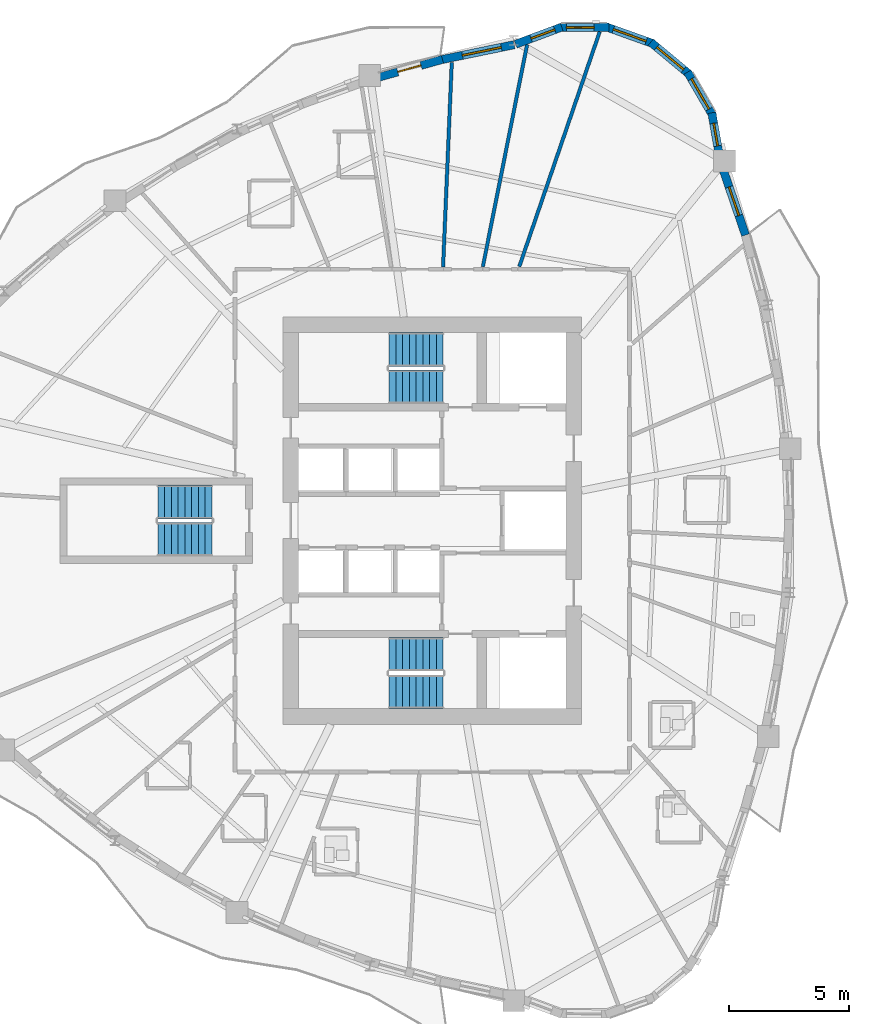
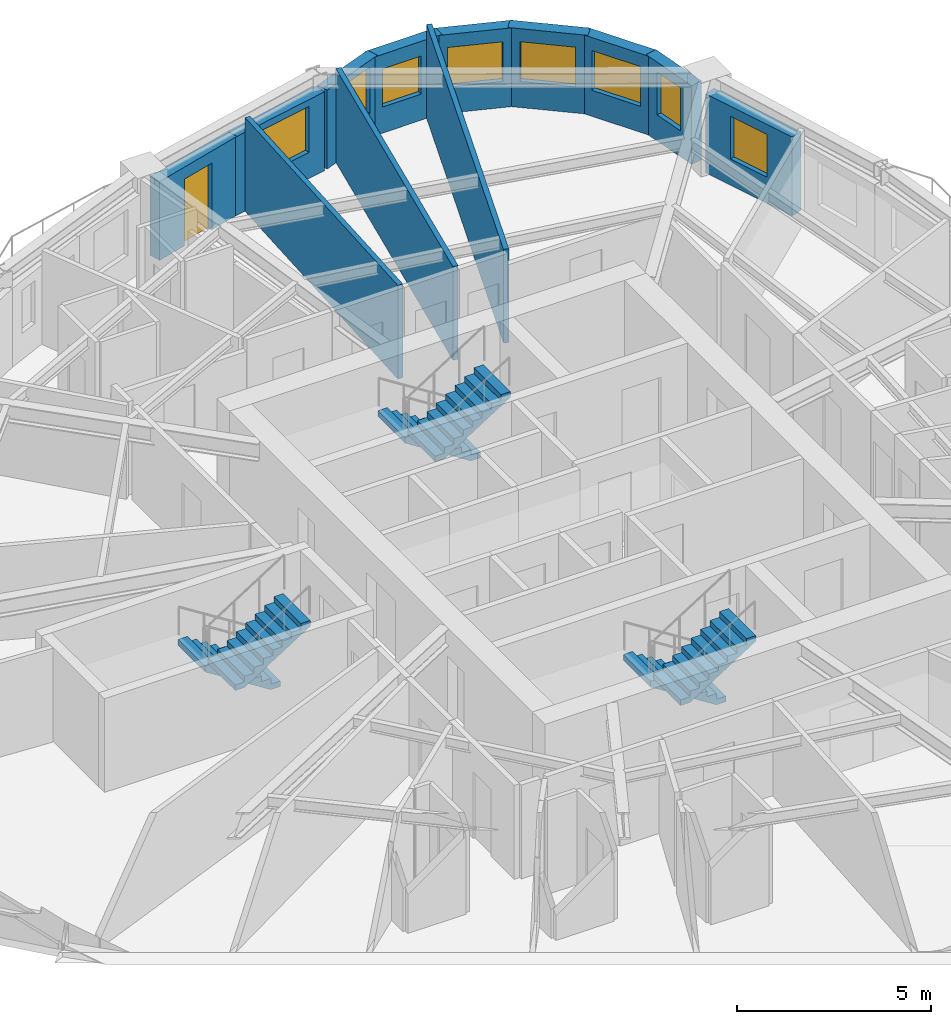
# One storey, part 9 of 13: 12 walls, 8 windows, 6 stair flights, 1 door, 9 openings, 3 elements without a shape of their own.
"""IFC4 building model written with IfcOpenShell, lengths in metres."""

from ifc_helpers import new_model, si_unit, direction, frame, frame_2d, origin, place, context, subcontext, project, spatial, polyline, rectangle, outline, extrude, source, transform, mapped, material, layer, layer_set, type_object, element, fill, aggregate, save


model = new_model("IFC4")

# Units and contexts
model_context = context("Model", 3, precision=1e-05, world=origin(), true_north=direction((0.0, 1.0)))
body_context = subcontext(model_context, "Body", "Model", "MODEL_VIEW")
ifc_project = project(units=[si_unit("LENGTHUNIT", "METRE"), si_unit("AREAUNIT", "SQUARE_METRE"), si_unit("VOLUMEUNIT", "CUBIC_METRE"), si_unit("PLANEANGLEUNIT", "RADIAN"), si_unit("MASSUNIT", "GRAM", prefix="KILO")], contexts=[model_context])

# Site, building, storey
site_placement = place(None, origin())
site = spatial("IfcSite", under=ifc_project, at=site_placement, CompositionType="ELEMENT")
building_placement = place(site_placement, origin())
building = spatial("IfcBuilding", under=site, at=building_placement, Name="Qafzar Sky-Pleat Residences", CompositionType="ELEMENT")
storey_placement = place(building_placement, frame((0.0, 0.0, 102.39990234375)))
storey = spatial("IfcBuildingStorey", under=building, at=storey_placement, Name="L30", CompositionType="ELEMENT", Elevation=102.39990234375)

# Walls
ifc_material_1 = material(Name="Acoustic gypsum plasterboard partition", Category="gypsum")
ifc_layer_1 = layer(ifc_material_1, 0.14501953125)
ifc_layer_set_1 = layer_set([ifc_layer_1], Name="Acoustic gypsum plasterboard partition")
wall_type_1 = type_object("IfcWallType", Name="PART-UNIT-145", PredefinedType="PARTITIONING", material=ifc_layer_set_1)
wall_1_placement = place(storey_placement, frame((33.9599609375, 36.541015625, 0.0), z_axis=(0.0, 0.0, 1.0), x_axis=(0.324058346196, 0.946037096662, 0.0)))
element("IfcWall", 1, at=wall_1_placement, inside=storey, type_object=wall_type_1, Name="L30 Partition Wall PART-L30-PW-033", PredefinedType="PARTITIONING", context=body_context, shape_type="SweptSolid", body=[
    extrude(rectangle(XDim=10.302490234375, YDim=0.14501953125, at=frame_2d((5.1513671875, 0.0))), origin(), (0.0, 0.0, 1.0), 2.9501953125),
])
wall_2_placement = place(storey_placement, frame((32.4482421875, 36.531982421875, 0.0), z_axis=(0.0, 0.0, 1.0), x_axis=(0.195406965811, 0.980722242897, 0.0)))
element("IfcWall", 2, at=wall_2_placement, inside=storey, type_object=wall_type_1, Name="L30 Partition Wall PART-L30-PW-036", PredefinedType="PARTITIONING", context=body_context, shape_type="SweptSolid", body=[
    extrude(rectangle(XDim=9.401611328125, YDim=0.14501953125, at=frame_2d((4.70068359375, 0.0))), origin(), (0.0, 0.0, 1.0), 2.9501953125),
])
wall_3_placement = place(storey_placement, frame((30.7978515625, 36.52099609375, 0.0), z_axis=(0.0, 0.0, 1.0), x_axis=(0.042521424142, 0.999095555234, 0.0)))
element("IfcWall", 3, at=wall_3_placement, inside=storey, type_object=wall_type_1, Name="L30 Partition Wall PART-L30-PW-039", PredefinedType="PARTITIONING", context=body_context, shape_type="SweptSolid", body=[
    extrude(rectangle(XDim=8.50341796875, YDim=0.14501953125, at=frame_2d((4.251708984375, 0.0))), origin(), (0.0, 0.0, 1.0), 2.9501953125),
])

# Wall, opening, window
ifc_material_2 = material(Name="Precast concrete C40/50 with honed Riyadh limestone", Category="concrete")
ifc_layer_2 = layer(ifc_material_2, 0.340087890625)
ifc_layer_set_2 = layer_set([ifc_layer_2], Name="Precast concrete C40/50 with honed Riyadh limestone")
wall_type_2 = type_object("IfcWallType", Name="WALL-EXT-340", PredefinedType="SOLIDWALL", material=ifc_layer_set_2)
wall_4_placement = place(storey_placement, frame((43.349609375, 37.84765625, 0.0), z_axis=(0.0, 0.0, 1.0), x_axis=(-0.323561473353, 0.946207151189, 0.0)))
wall_4 = element("IfcWall", 4, at=wall_4_placement, inside=storey, type_object=wall_type_2, Name="L30 Limestone Facade Wall 32", PredefinedType="SOLIDWALL", context=body_context, shape_type="SweptSolid", body=[
    extrude(rectangle(XDim=2.96240234375, YDim=0.340087890625, at=frame_2d((1.481201171875, 0.0))), origin(), (0.0, 0.0, 1.0), 2.47998046875),
])
opening_1_placement = place(wall_4_placement, frame((0.861083984375, 0.0, 0.820068359375)))
opening_1 = element("IfcOpeningElement", 5, at=opening_1_placement, cuts=wall_4, Name="Opening WN-11", PredefinedType="OPENING", context=body_context, shape_type="SweptSolid", body=[
    extrude(rectangle(XDim=1.25, YDim=1.35009765625, at=frame_2d((0.625, 0.675048828125))), frame((0.0, 0.18017578125, 0.0), z_axis=(0.0, -1.0, 0.0), x_axis=(1.0, 0.0, 0.0)), (0.0, 0.0, 1.0), 0.360107421875),
])
ifc_material_3 = material(Name="Solar-control low-E glass in bronze aluminium frame", Category="glass")
window_type_1 = type_object("IfcWindowType", Name="WIN-11", PartitioningType="SINGLE_PANEL", PredefinedType="WINDOW", material=ifc_material_3)
shared_shape_1 = source(origin(), body_context, "Body", "SweptSolid", [
    extrude(rectangle(XDim=1.25, YDim=1.35009765625, at=frame_2d((0.625, 0.675048828125))), frame((0.0, 0.030029296875, 0.0), z_axis=(0.0, -1.0, 0.0), x_axis=(1.0, 0.0, 0.0)), (0.0, 0.0, 1.0), 0.06005859375),
])
window_1_placement = place(opening_1_placement, origin())
window_1 = element("IfcWindow", 6, at=window_1_placement, inside=storey, type_object=window_type_1, Name="L30 Punched Facade Window 32", OverallHeight=1.35009765625, OverallWidth=1.25, PartitioningType="SINGLE_PANEL", PredefinedType="WINDOW", context=body_context, shape_type="MappedRepresentation", body=[
    mapped(shared_shape_1, transform((0.0, 0.0, 0.0), x_axis=(1.0, 0.0, 0.0), y_axis=(0.0, 1.0, 0.0), z_axis=(0.0, 0.0, 1.0), scale=1.0)),
])
fill(opening_1, window_1)

wall_5_placement = place(storey_placement, frame((42.27001953125, 41.1201171875, 0.0), z_axis=(0.0, 0.0, 1.0), x_axis=(-0.17440141227, 0.984674640375, 0.0)))
wall_5 = element("IfcWall", 7, at=wall_5_placement, inside=storey, type_object=wall_type_2, Name="L30 Limestone Facade Wall 33", PredefinedType="SOLIDWALL", context=body_context, shape_type="SweptSolid", body=[
    extrude(rectangle(XDim=1.8310546875, YDim=0.340087890625, at=frame_2d((0.91552734375, 0.0))), origin(), (0.0, 0.0, 1.0), 2.47998046875),
])
opening_2_placement = place(wall_5_placement, frame((0.435546875, 0.0, 0.820068359375)))
opening_2 = element("IfcOpeningElement", 8, at=opening_2_placement, cuts=wall_5, Name="Opening WN-12", PredefinedType="OPENING", context=body_context, shape_type="SweptSolid", body=[
    extrude(rectangle(XDim=0.949951171875, YDim=1.35009765625, at=frame_2d((0.47509765625, 0.675048828125))), frame((0.0, 0.18017578125, 0.0), z_axis=(0.0, -1.0, 0.0), x_axis=(1.0, 0.0, 0.0)), (0.0, 0.0, 1.0), 0.360107421875),
])
window_type_2 = type_object("IfcWindowType", Name="WIN-12", PartitioningType="SINGLE_PANEL", PredefinedType="WINDOW", material=ifc_material_3)
shared_shape_2 = source(origin(), body_context, "Body", "SweptSolid", [
    extrude(rectangle(XDim=0.949951171875, YDim=1.35009765625, at=frame_2d((0.47509765625, 0.675048828125))), frame((0.0, 0.030029296875, 0.0), z_axis=(0.0, -1.0, 0.0), x_axis=(1.0, 0.0, 0.0)), (0.0, 0.0, 1.0), 0.06005859375),
])
window_2_placement = place(opening_2_placement, origin())
window_2 = element("IfcWindow", 9, at=window_2_placement, inside=storey, type_object=window_type_2, Name="L30 Punched Facade Window 33", OverallHeight=1.35009765625, OverallWidth=0.949951171875, PartitioningType="SINGLE_PANEL", PredefinedType="WINDOW", context=body_context, shape_type="MappedRepresentation", body=[
    mapped(shared_shape_2, transform((0.0, 0.0, 0.0), x_axis=(1.0, 0.0, 0.0), y_axis=(0.0, 1.0, 0.0), z_axis=(0.0, 0.0, 1.0), scale=1.0)),
])
fill(opening_2, window_2)

wall_6_placement = place(storey_placement, frame((41.99658203125, 42.797119140625, 0.0), z_axis=(0.0, 0.0, 1.0), x_axis=(-0.501902596059, 0.864924149315, 0.0)))
wall_6 = element("IfcWall", 10, at=wall_6_placement, inside=storey, type_object=wall_type_2, Name="L30 Limestone Facade Wall 34", PredefinedType="SOLIDWALL", context=body_context, shape_type="SweptSolid", body=[
    extrude(rectangle(XDim=2.098876953125, YDim=0.340087890625, at=frame_2d((1.04931640625, 0.0))), origin(), (0.0, 0.0, 1.0), 2.47998046875),
])
opening_3_placement = place(wall_6_placement, frame((0.324462890625, 0.0, 0.820068359375)))
opening_3 = element("IfcOpeningElement", 11, at=opening_3_placement, cuts=wall_6, Name="Opening WN-15", PredefinedType="OPENING", context=body_context, shape_type="SweptSolid", body=[
    extrude(rectangle(XDim=1.449951171875, YDim=1.25, at=frame_2d((0.72509765625, 0.625))), frame((0.0, 0.18017578125, 0.0), z_axis=(0.0, -1.0, 0.0), x_axis=(1.0, 0.0, 0.0)), (0.0, 0.0, 1.0), 0.360107421875),
])
window_type_3 = type_object("IfcWindowType", Name="WIN-15", PartitioningType="SINGLE_PANEL", PredefinedType="WINDOW", material=ifc_material_3)
shared_shape_3 = source(origin(), body_context, "Body", "SweptSolid", [
    extrude(rectangle(XDim=1.449951171875, YDim=1.25, at=frame_2d((0.72509765625, 0.625))), frame((0.0, 0.030029296875, 0.0), z_axis=(0.0, -1.0, 0.0), x_axis=(1.0, 0.0, 0.0)), (0.0, 0.0, 1.0), 0.06005859375),
])
window_3_placement = place(opening_3_placement, origin())
window_3 = element("IfcWindow", 12, at=window_3_placement, inside=storey, type_object=window_type_3, Name="L30 Punched Facade Window 34", OverallHeight=1.25, OverallWidth=1.449951171875, PartitioningType="SINGLE_PANEL", PredefinedType="WINDOW", context=body_context, shape_type="MappedRepresentation", body=[
    mapped(shared_shape_3, transform((0.0, 0.0, 0.0), x_axis=(1.0, 0.0, 0.0), y_axis=(0.0, 1.0, 0.0), z_axis=(0.0, 0.0, 1.0), scale=1.0)),
])
fill(opening_3, window_3)

wall_7_placement = place(storey_placement, frame((41.029541015625, 44.510009765625, 0.0), z_axis=(0.0, 0.0, 1.0), x_axis=(-0.768497696041, 0.639852554249, 0.0)))
wall_7 = element("IfcWall", 13, at=wall_7_placement, inside=storey, type_object=wall_type_2, Name="L30 Limestone Facade Wall 35", PredefinedType="SOLIDWALL", context=body_context, shape_type="SweptSolid", body=[
    extrude(rectangle(XDim=2.098876953125, YDim=0.340087890625, at=frame_2d((1.04931640625, 0.0))), origin(), (0.0, 0.0, 1.0), 2.47998046875),
])
opening_4_placement = place(wall_7_placement, frame((0.324462890625, 0.0, 0.820068359375)))
opening_4 = element("IfcOpeningElement", 14, at=opening_4_placement, cuts=wall_7, Name="Opening WN-15", PredefinedType="OPENING", context=body_context, shape_type="SweptSolid", body=[
    extrude(rectangle(XDim=1.449951171875, YDim=1.25, at=frame_2d((0.72509765625, 0.625))), frame((0.0, 0.18017578125, 0.0), z_axis=(0.0, -1.0, 0.0), x_axis=(1.0, 0.0, 0.0)), (0.0, 0.0, 1.0), 0.360107421875),
])
window_4_placement = place(opening_4_placement, origin())
window_4 = element("IfcWindow", 15, at=window_4_placement, inside=storey, type_object=window_type_3, Name="L30 Punched Facade Window 35", OverallHeight=1.25, OverallWidth=1.449951171875, PartitioningType="SINGLE_PANEL", PredefinedType="WINDOW", context=body_context, shape_type="MappedRepresentation", body=[
    mapped(shared_shape_3, transform((0.0, 0.0, 0.0), x_axis=(1.0, 0.0, 0.0), y_axis=(0.0, 1.0, 0.0), z_axis=(0.0, 0.0, 1.0), scale=1.0)),
])
fill(opening_4, window_4)

wall_8_placement = place(storey_placement, frame((39.533203125, 45.78662109375, 0.0), z_axis=(0.0, 0.0, 1.0), x_axis=(-0.941523304278, 0.336947870598, 0.0)))
wall_8 = element("IfcWall", 16, at=wall_8_placement, inside=storey, type_object=wall_type_2, Name="L30 Limestone Facade Wall 36", PredefinedType="SOLIDWALL", context=body_context, shape_type="SweptSolid", body=[
    extrude(rectangle(XDim=2.09912109375, YDim=0.340087890625, at=frame_2d((1.049560546875, 0.0))), origin(), (0.0, 0.0, 1.0), 2.47998046875),
])
opening_5_placement = place(wall_8_placement, frame((0.324462890625, 0.0, 0.820068359375)))
opening_5 = element("IfcOpeningElement", 17, at=opening_5_placement, cuts=wall_8, Name="Opening WN-15", PredefinedType="OPENING", context=body_context, shape_type="SweptSolid", body=[
    extrude(rectangle(XDim=1.449951171875, YDim=1.25, at=frame_2d((0.72509765625, 0.625))), frame((0.0, 0.18017578125, 0.0), z_axis=(0.0, -1.0, 0.0), x_axis=(1.0, 0.0, 0.0)), (0.0, 0.0, 1.0), 0.360107421875),
])
window_5_placement = place(opening_5_placement, origin())
window_5 = element("IfcWindow", 18, at=window_5_placement, inside=storey, type_object=window_type_3, Name="L30 Punched Facade Window 36", OverallHeight=1.25, OverallWidth=1.449951171875, PartitioningType="SINGLE_PANEL", PredefinedType="WINDOW", context=body_context, shape_type="MappedRepresentation", body=[
    mapped(shared_shape_3, transform((0.0, 0.0, 0.0), x_axis=(1.0, 0.0, 0.0), y_axis=(0.0, 1.0, 0.0), z_axis=(0.0, 0.0, 1.0), scale=1.0)),
])
fill(opening_5, window_5)

wall_9_placement = place(storey_placement, frame((37.689208984375, 46.471435546875, 0.0), z_axis=(0.0, 0.0, 1.0), x_axis=(-0.999976456891, -0.00686189939, 0.0)))
wall_9 = element("IfcWall", 19, at=wall_9_placement, inside=storey, type_object=wall_type_2, Name="L30 Limestone Facade Wall 37", PredefinedType="SOLIDWALL", context=body_context, shape_type="SweptSolid", body=[
    extrude(rectangle(XDim=2.09912109375, YDim=0.340087890625, at=frame_2d((1.049560546875, 0.0))), origin(), (0.0, 0.0, 1.0), 2.47998046875),
])
opening_6_placement = place(wall_9_placement, frame((0.626708984375, 0.0, 0.820068359375)))
opening_6 = element("IfcOpeningElement", 20, at=opening_6_placement, cuts=wall_9, Name="Opening WN-16", PredefinedType="OPENING", context=body_context, shape_type="SweptSolid", body=[
    extrude(rectangle(XDim=1.14990234375, YDim=1.199951171875, at=frame_2d((0.574951171875, 0.60009765625))), frame((0.0, 0.18017578125, 0.0), z_axis=(0.0, -1.0, 0.0), x_axis=(1.0, 0.0, 0.0)), (0.0, 0.0, 1.0), 0.360107421875),
])
window_type_4 = type_object("IfcWindowType", Name="WIN-16", PartitioningType="SINGLE_PANEL", PredefinedType="WINDOW", material=ifc_material_3)
shared_shape_4 = source(origin(), body_context, "Body", "SweptSolid", [
    extrude(rectangle(XDim=1.14990234375, YDim=1.199951171875, at=frame_2d((0.574951171875, 0.60009765625))), frame((0.0, 0.030029296875, 0.0), z_axis=(0.0, -1.0, 0.0), x_axis=(1.0, 0.0, 0.0)), (0.0, 0.0, 1.0), 0.06005859375),
])
window_6_placement = place(opening_6_placement, origin())
window_6 = element("IfcWindow", 21, at=window_6_placement, inside=storey, type_object=window_type_4, Name="L30 Punched Facade Window 37", OverallHeight=1.199951171875, OverallWidth=1.14990234375, PartitioningType="SINGLE_PANEL", PredefinedType="WINDOW", context=body_context, shape_type="MappedRepresentation", body=[
    mapped(shared_shape_4, transform((0.0, 0.0, 0.0), x_axis=(1.0, 0.0, 0.0), y_axis=(0.0, 1.0, 0.0), z_axis=(0.0, 0.0, 1.0), scale=1.0)),
])
fill(opening_6, window_6)

wall_10_placement = place(storey_placement, frame((35.72216796875, 46.4814453125, 0.0), z_axis=(0.0, 0.0, 1.0), x_axis=(-0.9368002254, -0.349864741994, 0.0)))
wall_10 = element("IfcWall", 22, at=wall_10_placement, inside=storey, type_object=wall_type_2, Name="L30 Limestone Facade Wall 38", PredefinedType="SOLIDWALL", context=body_context, shape_type="SweptSolid", body=[
    extrude(rectangle(XDim=2.041015625, YDim=0.340087890625, at=frame_2d((1.0205078125, 0.0))), origin(), (0.0, 0.0, 1.0), 2.47998046875),
])
opening_7_placement = place(wall_10_placement, frame((0.30908203125, 0.0, 0.820068359375)))
opening_7 = element("IfcOpeningElement", 23, at=opening_7_placement, cuts=wall_10, Name="Opening WN-06", PredefinedType="OPENING", context=body_context, shape_type="SweptSolid", body=[
    extrude(rectangle(XDim=1.050048828125, YDim=1.449951171875, at=frame_2d((0.52490234375, 0.72509765625))), frame((0.0, 0.18017578125, 0.0), z_axis=(0.0, -1.0, 0.0), x_axis=(1.0, 0.0, 0.0)), (0.0, 0.0, 1.0), 0.360107421875),
])
window_type_5 = type_object("IfcWindowType", Name="WIN-06", PartitioningType="SINGLE_PANEL", PredefinedType="WINDOW", material=ifc_material_3)
shared_shape_5 = source(origin(), body_context, "Body", "SweptSolid", [
    extrude(rectangle(XDim=1.050048828125, YDim=1.449951171875, at=frame_2d((0.52490234375, 0.72509765625))), frame((0.0, 0.030029296875, 0.0), z_axis=(0.0, -1.0, 0.0), x_axis=(1.0, 0.0, 0.0)), (0.0, 0.0, 1.0), 0.06005859375),
])
window_7_placement = place(opening_7_placement, origin())
window_7 = element("IfcWindow", 24, at=window_7_placement, inside=storey, type_object=window_type_5, Name="L30 Punched Facade Window 38", OverallHeight=1.449951171875, OverallWidth=1.050048828125, PartitioningType="SINGLE_PANEL", PredefinedType="WINDOW", context=body_context, shape_type="MappedRepresentation", body=[
    mapped(shared_shape_5, transform((0.0, 0.0, 0.0), x_axis=(1.0, 0.0, 0.0), y_axis=(0.0, 1.0, 0.0), z_axis=(0.0, 0.0, 1.0), scale=1.0)),
])
fill(opening_7, window_7)

wall_11_placement = place(storey_placement, frame((33.74658203125, 45.7490234375, 0.0), z_axis=(0.0, 0.0, 1.0), x_axis=(-0.979440240026, -0.201734519153, 0.0)))
wall_11 = element("IfcWall", 25, at=wall_11_placement, inside=storey, type_object=wall_type_2, Name="L30 Limestone Facade Wall 39", PredefinedType="SOLIDWALL", context=body_context, shape_type="SweptSolid", body=[
    extrude(rectangle(XDim=3.12353515625, YDim=0.340087890625, at=frame_2d((1.561767578125, 0.0))), origin(), (0.0, 0.0, 1.0), 2.47998046875),
])
opening_8_placement = place(wall_11_placement, frame((0.541259765625, 0.0, 0.820068359375)))
opening_8 = element("IfcOpeningElement", 26, at=opening_8_placement, cuts=wall_11, Name="Opening WN-02", PredefinedType="OPENING", context=body_context, shape_type="SweptSolid", body=[
    extrude(rectangle(XDim=1.64990234375, YDim=1.449951171875, at=frame_2d((0.824951171875, 0.72509765625))), frame((0.0, 0.18017578125, 0.0), z_axis=(0.0, -1.0, 0.0), x_axis=(1.0, 0.0, 0.0)), (0.0, 0.0, 1.0), 0.360107421875),
])
window_type_6 = type_object("IfcWindowType", Name="WIN-02", PartitioningType="DOUBLE_PANEL_VERTICAL", PredefinedType="WINDOW", material=ifc_material_3)
shared_shape_6 = source(origin(), body_context, "Body", "SweptSolid", [
    extrude(rectangle(XDim=1.64990234375, YDim=1.449951171875, at=frame_2d((0.824951171875, 0.72509765625))), frame((0.0, 0.030029296875, 0.0), z_axis=(0.0, -1.0, 0.0), x_axis=(1.0, 0.0, 0.0)), (0.0, 0.0, 1.0), 0.06005859375),
])
window_8_placement = place(opening_8_placement, origin())
window_8 = element("IfcWindow", 27, at=window_8_placement, inside=storey, type_object=window_type_6, Name="L30 Punched Facade Window 39", OverallHeight=1.449951171875, OverallWidth=1.64990234375, PartitioningType="SINGLE_PANEL", PredefinedType="WINDOW", context=body_context, shape_type="MappedRepresentation", body=[
    mapped(shared_shape_6, transform((0.0, 0.0, 0.0), x_axis=(1.0, 0.0, 0.0), y_axis=(0.0, 1.0, 0.0), z_axis=(0.0, 0.0, 1.0), scale=1.0)),
])
fill(opening_8, window_8)

# Wall, opening, door
wall_12_placement = place(storey_placement, frame((30.772705078125, 45.139404296875, 0.0), z_axis=(0.0, 0.0, 1.0), x_axis=(-0.963038749839, -0.269362889627, 0.0)))
wall_12 = element("IfcWall", 28, at=wall_12_placement, inside=storey, type_object=wall_type_2, Name="L30 Limestone Facade Wall 40", PredefinedType="SOLIDWALL", context=body_context, shape_type="SweptSolid", body=[
    extrude(rectangle(XDim=2.8486328125, YDim=0.340087890625, at=frame_2d((1.42431640625, 0.0))), origin(), (0.0, 0.0, 1.0), 2.47998046875),
])
opening_9_placement = place(wall_12_placement, frame((0.92431640625, 0.0, 0.0)))
opening_9 = element("IfcOpeningElement", 29, at=opening_9_placement, cuts=wall_12, Name="Opening ED-05", PredefinedType="OPENING", context=body_context, shape_type="SweptSolid", body=[
    extrude(rectangle(XDim=1.0, YDim=2.10009765625, at=frame_2d((0.5, 1.050048828125))), frame((0.0, 0.18017578125, 0.0), z_axis=(0.0, -1.0, 0.0), x_axis=(1.0, 0.0, 0.0)), (0.0, 0.0, 1.0), 0.360107421875),
])
ifc_material_4 = material(Name="Glazed bronze aluminium door", Category="aluminium")
door_type = type_object("IfcDoorType", Name="DR-BAL-1000", OperationType="NOTDEFINED", PredefinedType="DOOR", material=ifc_material_4)
shared_shape_7 = source(origin(), body_context, "Body", "SweptSolid", [
    extrude(rectangle(XDim=1.0, YDim=2.10009765625, at=frame_2d((0.5, 1.050048828125))), frame((0.0, 0.02490234375, 0.0), z_axis=(0.0, -1.0, 0.0), x_axis=(1.0, 0.0, 0.0)), (0.0, 0.0, 1.0), 0.050048828125),
])
door_placement = place(opening_9_placement, origin())
door = element("IfcDoor", 30, at=door_placement, inside=storey, type_object=door_type, Name="L30 Glazed Balcony Door 2", OperationType="SINGLE_SWING_LEFT", OverallHeight=2.10009765625, OverallWidth=1.0, PredefinedType="DOOR", context=body_context, shape_type="MappedRepresentation", body=[
    mapped(shared_shape_7, transform((0.0, 0.0, 0.0), x_axis=(1.0, 0.0, 0.0), y_axis=(0.0, 1.0, 0.0), z_axis=(0.0, 0.0, 1.0), scale=1.0)),
])
fill(opening_9, door)

# Stair, stair flights
ifc_material_5 = material(Name="Concrete C40/50", Category="concrete")
stair_type = type_object("IfcStairType", Name="STAIR-H320", PredefinedType="HALF_TURN_STAIR", material=ifc_material_5)
stair_1_placement = place(storey_placement, origin())
stair_1 = element("IfcStair", 31, at=stair_1_placement, inside=storey, type_object=stair_type, Name="L30 Protected Exit Stair ST1", PredefinedType="HALF_TURN_STAIR")
stair_flight_type = type_object("IfcStairFlightType", Name="FLIGHT-H320", PredefinedType="STRAIGHT", material=ifc_material_5)
shared_shape_8 = source(origin(), body_context, "Body", "SweptSolid", [
    extrude(outline(polyline([(0.0, 0.0), (0.0, 0.177734375), (0.280029296875, 0.177734375), (0.280029296875, 0.35546875), (0.56005859375, 0.35546875), (0.56005859375, 0.533447265625), (0.840087890625, 0.533447265625), (0.840087890625, 0.711181640625), (1.1201171875, 0.711181640625), (1.1201171875, 0.888916015625), (1.39990234375, 0.888916015625), (1.39990234375, 1.066650390625), (1.679931640625, 1.066650390625), (1.679931640625, 1.244384765625), (1.9599609375, 1.244384765625), (1.9599609375, 1.422119140625), (2.239990234375, 1.422119140625), (2.239990234375, 1.60009765625), (2.239990234375, 1.24462890625), (0.27978515625, 0.0), (0.0, 0.0)])), frame((0.0, 0.699951171875, 0.0), z_axis=(0.0, -1.0, 0.0), x_axis=(1.0, 0.0, 0.0)), (0.0, 0.0, 1.0), 1.39990234375),
])
stair_flight_1_placement = place(storey_placement, frame((30.800048828125, 20.449951171875, 0.0), z_axis=(0.0, 0.0, 1.0), x_axis=(-1.0, 0.0, 0.0)))
stair_flight_1 = element("IfcStairFlight", 32, at=stair_flight_1_placement, type_object=stair_flight_type, Name="ST1 flight 1", NumberOfRisers=9, NumberOfTreads=8, PredefinedType="STRAIGHT", RiserHeight=0.177777778, TreadLength=0.28, context=body_context, shape_type="MappedRepresentation", body=[
    mapped(shared_shape_8, transform((0.0, 0.0, 0.0), x_axis=(1.0, 0.0, 0.0), y_axis=(0.0, 1.0, 0.0), z_axis=(0.0, 0.0, 1.0), scale=1.0)),
])
stair_flight_2_placement = place(storey_placement, frame((28.56005859375, 18.89990234375, 1.60009765625), z_axis=(0.0, 0.0, 1.0), x_axis=(1.0, 0.0, 0.0)))
stair_flight_2 = element("IfcStairFlight", 33, at=stair_flight_2_placement, type_object=stair_flight_type, Name="ST1 flight 2", NumberOfRisers=9, NumberOfTreads=8, PredefinedType="STRAIGHT", RiserHeight=0.177777778, TreadLength=0.28, context=body_context, shape_type="MappedRepresentation", body=[
    mapped(shared_shape_8, transform((0.0, 0.0, 0.0), x_axis=(1.0, 0.0, 0.0), y_axis=(0.0, 1.0, 0.0), z_axis=(0.0, 0.0, 1.0), scale=1.0)),
])
aggregate(stair_1, [stair_flight_1, stair_flight_2])

stair_2_placement = place(storey_placement, origin())
stair_2 = element("IfcStair", 34, at=stair_2_placement, inside=storey, type_object=stair_type, Name="L30 Protected Exit Stair ST2", PredefinedType="HALF_TURN_STAIR")
stair_flight_3_placement = place(storey_placement, frame((30.800048828125, 33.10009765625, 0.0), z_axis=(0.0, 0.0, 1.0), x_axis=(-1.0, 0.0, 0.0)))
stair_flight_3 = element("IfcStairFlight", 35, at=stair_flight_3_placement, type_object=stair_flight_type, Name="ST2 flight 1", NumberOfRisers=9, NumberOfTreads=8, PredefinedType="STRAIGHT", RiserHeight=0.177777778, TreadLength=0.28, context=body_context, shape_type="MappedRepresentation", body=[
    mapped(shared_shape_8, transform((0.0, 0.0, 0.0), x_axis=(1.0, 0.0, 0.0), y_axis=(0.0, 1.0, 0.0), z_axis=(0.0, 0.0, 1.0), scale=1.0)),
])
stair_flight_4_placement = place(storey_placement, frame((28.56005859375, 31.550048828125, 1.60009765625), z_axis=(0.0, 0.0, 1.0), x_axis=(1.0, 0.0, 0.0)))
stair_flight_4 = element("IfcStairFlight", 36, at=stair_flight_4_placement, type_object=stair_flight_type, Name="ST2 flight 2", NumberOfRisers=9, NumberOfTreads=8, PredefinedType="STRAIGHT", RiserHeight=0.177777778, TreadLength=0.28, context=body_context, shape_type="MappedRepresentation", body=[
    mapped(shared_shape_8, transform((0.0, 0.0, 0.0), x_axis=(1.0, 0.0, 0.0), y_axis=(0.0, 1.0, 0.0), z_axis=(0.0, 0.0, 1.0), scale=1.0)),
])
aggregate(stair_2, [stair_flight_3, stair_flight_4])

stair_3_placement = place(storey_placement, origin())
stair_3 = element("IfcStair", 37, at=stair_3_placement, inside=storey, type_object=stair_type, Name="L30 Protected Exit Stair ST3", PredefinedType="HALF_TURN_STAIR")
stair_flight_5_placement = place(storey_placement, frame((21.199951171875, 26.77490234375, 0.0), z_axis=(0.0, 0.0, 1.0), x_axis=(-1.0, 0.0, 0.0)))
stair_flight_5 = element("IfcStairFlight", 38, at=stair_flight_5_placement, type_object=stair_flight_type, Name="ST3 flight 1", NumberOfRisers=9, NumberOfTreads=8, PredefinedType="STRAIGHT", RiserHeight=0.177777778, TreadLength=0.28, context=body_context, shape_type="MappedRepresentation", body=[
    mapped(shared_shape_8, transform((0.0, 0.0, 0.0), x_axis=(1.0, 0.0, 0.0), y_axis=(0.0, 1.0, 0.0), z_axis=(0.0, 0.0, 1.0), scale=1.0)),
])
stair_flight_6_placement = place(storey_placement, frame((18.9599609375, 25.22509765625, 1.60009765625), z_axis=(0.0, 0.0, 1.0), x_axis=(1.0, 0.0, 0.0)))
stair_flight_6 = element("IfcStairFlight", 39, at=stair_flight_6_placement, type_object=stair_flight_type, Name="ST3 flight 2", NumberOfRisers=9, NumberOfTreads=8, PredefinedType="STRAIGHT", RiserHeight=0.177777778, TreadLength=0.28, context=body_context, shape_type="MappedRepresentation", body=[
    mapped(shared_shape_8, transform((0.0, 0.0, 0.0), x_axis=(1.0, 0.0, 0.0), y_axis=(0.0, 1.0, 0.0), z_axis=(0.0, 0.0, 1.0), scale=1.0)),
])
aggregate(stair_3, [stair_flight_5, stair_flight_6])

save(model, "model.ifc")
